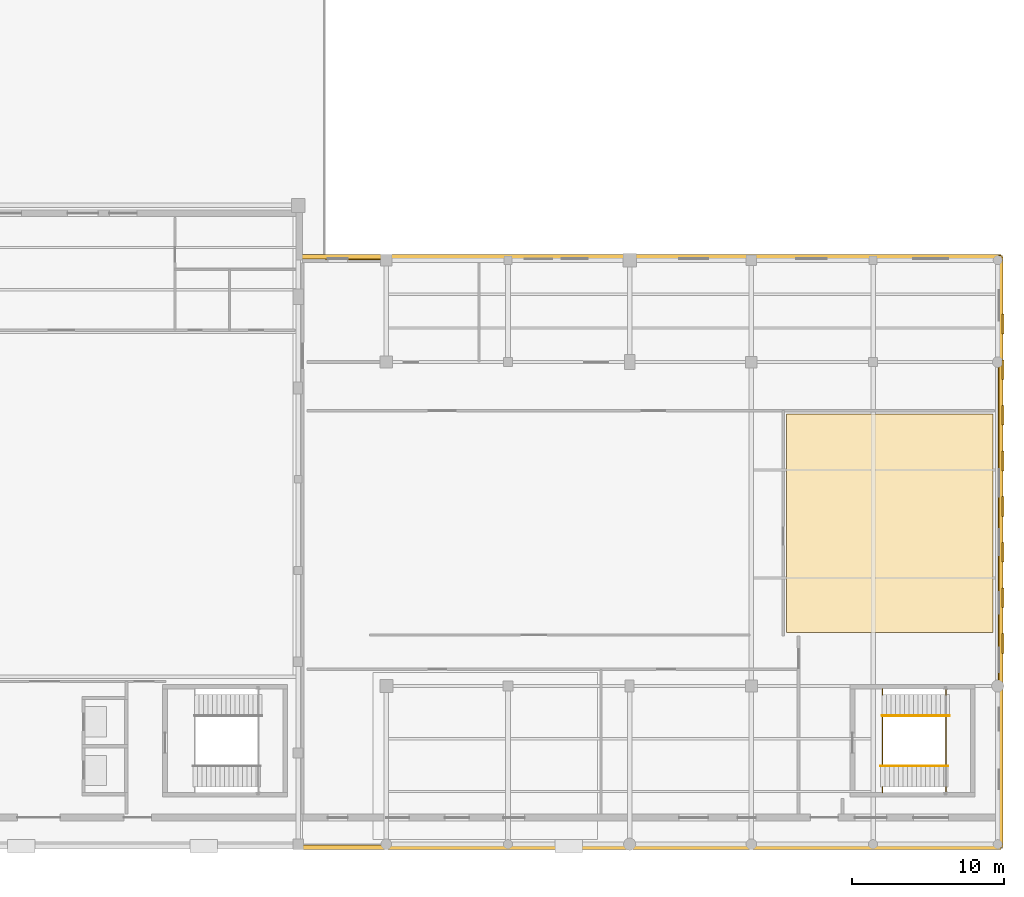
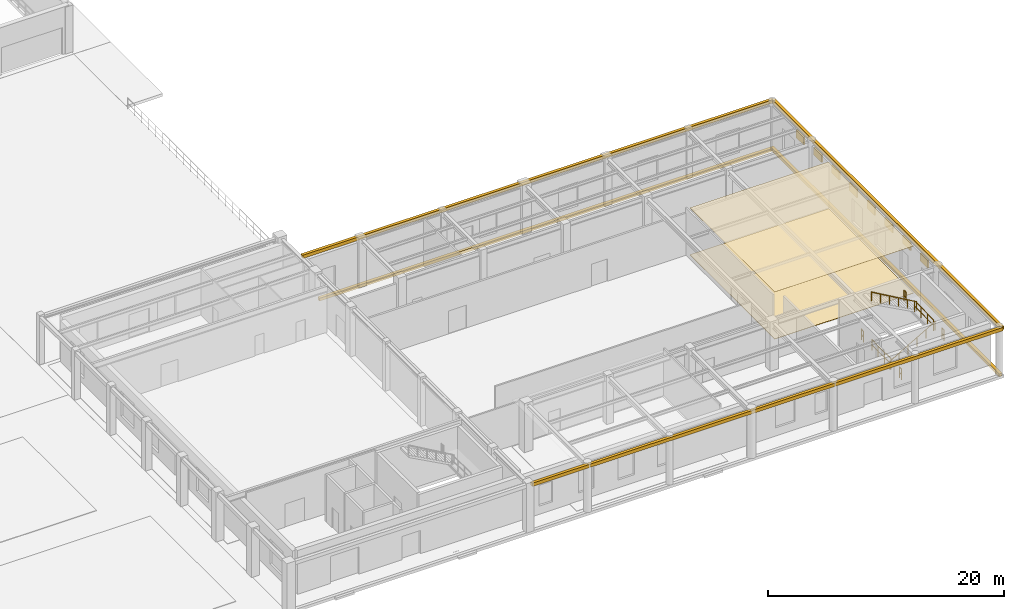
# One storey, part 67 of 68: 8 railings, 8 shading devices, 7 coverings.
"""IFC4 building model written with IfcOpenShell, lengths in metres."""

from ifc_helpers import new_model, si_unit, direction, frame, origin, origin_2d, place, context, subcontext, project, spatial, polyline, rectangle, circle, outline, extrude, material, layer, layer_set, type_object, element, save


model = new_model("IFC4")

# Units and contexts
model_context = context("Model", 3, precision=1e-05, world=origin(), true_north=direction((0.0, 1.0)))
body_context = subcontext(model_context, "Body", "Model", "MODEL_VIEW")
ifc_project = project(units=[si_unit("LENGTHUNIT", "METRE"), si_unit("AREAUNIT", "SQUARE_METRE"), si_unit("VOLUMEUNIT", "CUBIC_METRE"), si_unit("PLANEANGLEUNIT", "RADIAN"), si_unit("MASSUNIT", "GRAM", prefix="KILO"), si_unit("THERMODYNAMICTEMPERATUREUNIT", "KELVIN"), si_unit("POWERUNIT", "WATT")], contexts=[model_context])

# Site, building, storey
site_placement = place(None, origin())
site = spatial("IfcSite", under=ifc_project, at=site_placement, CompositionType="ELEMENT")
building_placement = place(site_placement, origin())
building = spatial("IfcBuilding", under=site, at=building_placement, Name="Solvatero Civic Police Headquarters", CompositionType="ELEMENT")
storey_placement = place(building_placement, origin())
storey = spatial("IfcBuildingStorey", under=building, at=storey_placement, Name="L00", CompositionType="ELEMENT", Elevation=0.0)

# Coverings
ifc_material_1 = material(Name="Mineral-Fibre Acoustic Tile", Category="gypsum")
ifc_layer_1 = layer(ifc_material_1, 0.02490234375)
ifc_layer_set_1 = layer_set([ifc_layer_1], Name="Mineral-Fibre Acoustic Tile")
covering_type_1 = type_object("IfcCoveringType", Name="COV-CEIL-AC", PredefinedType="CEILING", material=ifc_layer_set_1)
covering_1_placement = place(storey_placement, frame((0.0, 0.0, 4.85498046875)))
element("IfcCovering", 1, at=covering_1_placement, inside=storey, type_object=covering_type_1, Name="Acoustic Ceiling Tactical Mat and Training Equipment Store", PredefinedType="CEILING", context=body_context, shape_type="SweptSolid", body=[
    extrude(outline(polyline([(154.320068359375, 18.719970703125), (154.320068359375, 33.080078125), (167.8798828125, 33.080078125), (167.8798828125, 18.719970703125), (154.320068359375, 18.719970703125)])), origin(), (0.0, 0.0, 1.0), 0.02490234375),
])
ifc_material_2 = material(Name="Venetian Terrazzo Stone", Category="masonry")
ifc_layer_2 = layer(ifc_material_2, 0.034912109375)
ifc_layer_set_2 = layer_set([ifc_layer_2], Name="Venetian Terrazzo Stone")
covering_type_2 = type_object("IfcCoveringType", Name="COV-FLR-TER", PredefinedType="FLOORING", material=ifc_layer_set_2)
covering_2_placement = place(storey_placement, origin())
element("IfcCovering", 2, at=covering_2_placement, inside=storey, type_object=covering_type_2, Name="Flooring Tactical Mat and Training Equipment Store", PredefinedType="FLOORING", context=body_context, shape_type="SweptSolid", body=[
    extrude(outline(polyline([(154.320068359375, 18.719970703125), (154.320068359375, 33.080078125), (167.8798828125, 33.080078125), (167.8798828125, 18.719970703125), (154.320068359375, 18.719970703125)])), origin(), (0.0, 0.0, 1.0), 0.034912109375),
])
ifc_material_3 = material(Name="Anodized Bronze Aluminium", Category="aluminium")
ifc_layer_3 = layer(ifc_material_3, 0.0400390625)
ifc_layer_set_3 = layer_set([ifc_layer_3], Name="Anodized Bronze Aluminium")
covering_type_3 = type_object("IfcCoveringType", Name="COV-RF-ZINC", PredefinedType="ROOFING", material=ifc_layer_set_3)
covering_3_placement = place(storey_placement, frame((0.0, 0.0, -0.300048828125)))
element("IfcCovering", 3, at=covering_3_placement, inside=storey, type_object=covering_type_3, Name="L00 Perimeter Bronze Plinth Skirt PLINTH-E", PredefinedType="CLADDING", context=body_context, shape_type="SweptSolid", body=[
    extrude(outline(polyline([(168.199951171875, 4.800048828125), (168.5, 4.800048828125), (168.5, 43.5), (168.199951171875, 43.5), (168.199951171875, 4.800048828125)])), origin(), (0.0, 0.0, 1.0), 0.300048828125),
])
covering_4_placement = place(storey_placement, frame((0.0, 0.0, -0.300048828125)))
element("IfcCovering", 4, at=covering_4_placement, inside=storey, type_object=covering_type_3, Name="L00 Perimeter Bronze Plinth Skirt PLINTH-NE", PredefinedType="CLADDING", context=body_context, shape_type="SweptSolid", body=[
    extrude(outline(polyline([(124.0, 43.199951171875), (168.199951171875, 43.199951171875), (168.199951171875, 43.5), (124.0, 43.5), (124.0, 43.199951171875)])), origin(), (0.0, 0.0, 1.0), 0.300048828125),
])
ifc_material_4 = material(Name="Cream Limestone Ashlar", Category="masonry")
ifc_layer_4 = layer(ifc_material_4, 0.10009765625)
ifc_layer_set_4 = layer_set([ifc_layer_4], Name="Cream Limestone Ashlar")
covering_type_4 = type_object("IfcCoveringType", Name="COV-TRIM-STONE", PredefinedType="CLADDING", material=ifc_layer_set_4)
covering_5_placement = place(storey_placement, frame((145.39990234375, 4.60009765625, 4.60986328125), z_axis=(0.0, 0.0, 1.0), x_axis=(1.0, 0.0, 0.0)))
element("IfcCovering", 5, at=covering_5_placement, inside=storey, type_object=covering_type_4, Name="Classical Limestone Trim TRIM-V3-L00-S", PredefinedType="CLADDING", context=body_context, shape_type="SweptSolid", body=[
    extrude(rectangle(XDim=46.0, YDim=0.280029296875, at=origin_2d()), origin(), (0.0, 0.0, 1.0), 0.340087890625),
])
covering_6_placement = place(storey_placement, frame((168.419921875, 24.0, 4.60986328125), z_axis=(0.0, 0.0, 1.0), x_axis=(1.0, 0.0, 0.0)))
element("IfcCovering", 6, at=covering_6_placement, inside=storey, type_object=covering_type_4, Name="Classical Limestone Trim TRIM-V3-L00-E", PredefinedType="CLADDING", context=body_context, shape_type="SweptSolid", body=[
    extrude(rectangle(XDim=0.280029296875, YDim=38.800048828125, at=origin_2d()), origin(), (0.0, 0.0, 1.0), 0.340087890625),
])
covering_7_placement = place(storey_placement, frame((145.39990234375, 43.419921875, 4.60986328125), z_axis=(0.0, 0.0, 1.0), x_axis=(1.0, 0.0, 0.0)))
element("IfcCovering", 7, at=covering_7_placement, inside=storey, type_object=covering_type_4, Name="Classical Limestone Trim TRIM-V3-L00-N", PredefinedType="CLADDING", context=body_context, shape_type="SweptSolid", body=[
    extrude(rectangle(XDim=46.0, YDim=0.280029296875, at=origin_2d()), origin(), (0.0, 0.0, 1.0), 0.340087890625),
])

# Railings
ifc_material_5 = material(Name="Painted Galvanized Steel", Category="steel")
railing_type_1 = type_object("IfcRailingType", Name="RL-GRD-110", PredefinedType="GUARDRAIL", material=ifc_material_5)
railing_1_placement = place(storey_placement, frame((160.6298828125, 9.97998046875, 0.0)))
element("IfcRailing", 8, at=railing_1_placement, inside=storey, type_object=railing_type_1, Name="ST-C6 L00 Floor Well Guardrail", PredefinedType="GUARDRAIL", context=body_context, shape_type="SweptSolid", body=[
    extrude(circle(Radius=0.02392578125, at=origin_2d()), frame((0.0, 0.0, 1.09619140625), z_axis=(0.0, 1.0, 0.0), x_axis=(-1.0, 0.0, 0.0)), (0.0, 0.0, 1.0), 3.239990234375),
    extrude(circle(Radius=0.02392578125, at=origin_2d()), frame((0.0, 0.0, 0.5361328125), z_axis=(0.0, 1.0, 0.0), x_axis=(-1.0, 0.0, 0.0)), (0.0, 0.0, 1.0), 3.239990234375),
    extrude(circle(Radius=0.02099609375, at=origin_2d()), origin(), (0.0, 0.0, 1.0), 1.072021484375),
    extrude(circle(Radius=0.02099609375, at=origin_2d()), frame((0.0, 1.080078125, 0.0)), (0.0, 0.0, 1.0), 1.072021484375),
    extrude(circle(Radius=0.02099609375, at=origin_2d()), frame((0.0, 2.159912109375, 0.0)), (0.0, 0.0, 1.0), 1.072021484375),
    extrude(circle(Radius=0.02099609375, at=origin_2d()), frame((0.0, 3.239990234375, 0.0)), (0.0, 0.0, 1.0), 1.072021484375),
])
for number, where, name in (
    (9, (160.6298828125, 8.2099609375, 0.0), "ST-C6 L00 Floor Well South Slot Guardrail"),
    (10, (160.6298828125, 14.6298828125, 0.0), "ST-C6 L00 Floor Well North Slot Guardrail"),
):
    element("IfcRailing", number, at=place(storey_placement, frame(where)), inside=storey, type_object=railing_type_1, Name=name, PredefinedType="GUARDRAIL", context=body_context, shape_type="SweptSolid", body=[
        extrude(circle(Radius=0.02392578125, at=origin_2d()), frame((0.0, 0.0, 1.09619140625), z_axis=(0.0, 1.0, 0.0), x_axis=(-1.0, 0.0, 0.0)), (0.0, 0.0, 1.0), 0.360107421875),
        extrude(circle(Radius=0.02392578125, at=origin_2d()), frame((0.0, 0.0, 0.5361328125), z_axis=(0.0, 1.0, 0.0), x_axis=(-1.0, 0.0, 0.0)), (0.0, 0.0, 1.0), 0.360107421875),
        extrude(circle(Radius=0.02099609375, at=origin_2d()), origin(), (0.0, 0.0, 1.0), 1.072021484375),
        extrude(circle(Radius=0.02099609375, at=origin_2d()), frame((0.0, 0.360107421875, 0.0)), (0.0, 0.0, 1.0), 1.072021484375),
    ])
railing_2_placement = place(storey_placement, frame((164.794921875, 9.97998046875, 2.550048828125)))
element("IfcRailing", 11, at=railing_2_placement, inside=storey, type_object=railing_type_1, Name="ST-C6 L00 Half-Landing Well Guardrail", PredefinedType="GUARDRAIL", context=body_context, shape_type="SweptSolid", body=[
    extrude(circle(Radius=0.02392578125, at=origin_2d()), frame((0.0, 0.0, 1.09619140625), z_axis=(0.0, 1.0, 0.0), x_axis=(-1.0, 0.0, 0.0)), (0.0, 0.0, 1.0), 3.239990234375),
    extrude(circle(Radius=0.02392578125, at=origin_2d()), frame((0.0, 0.0, 0.5361328125), z_axis=(0.0, 1.0, 0.0), x_axis=(-1.0, 0.0, 0.0)), (0.0, 0.0, 1.0), 3.239990234375),
    extrude(circle(Radius=0.02099609375, at=origin_2d()), origin(), (0.0, 0.0, 1.0), 1.072021484375),
    extrude(circle(Radius=0.02099609375, at=origin_2d()), frame((0.0, 1.080078125, 0.0)), (0.0, 0.0, 1.0), 1.072021484375),
    extrude(circle(Radius=0.02099609375, at=origin_2d()), frame((0.0, 2.159912109375, 0.0)), (0.0, 0.0, 1.0), 1.072021484375),
    extrude(circle(Radius=0.02099609375, at=origin_2d()), frame((0.0, 3.239990234375, 0.0)), (0.0, 0.0, 1.0), 1.072021484375),
])
for number, where, name in (
    (12, (164.794921875, 8.2099609375, 2.550048828125), "ST-C6 L00 Half-Landing South Slot Guardrail"),
    (13, (164.794921875, 14.6298828125, 2.550048828125), "ST-C6 L00 Half-Landing North Slot Guardrail"),
):
    element("IfcRailing", number, at=place(storey_placement, frame(where)), inside=storey, type_object=railing_type_1, Name=name, PredefinedType="GUARDRAIL", context=body_context, shape_type="SweptSolid", body=[
        extrude(circle(Radius=0.02392578125, at=origin_2d()), frame((0.0, 0.0, 1.09619140625), z_axis=(0.0, 1.0, 0.0), x_axis=(-1.0, 0.0, 0.0)), (0.0, 0.0, 1.0), 0.360107421875),
        extrude(circle(Radius=0.02392578125, at=origin_2d()), frame((0.0, 0.0, 0.5361328125), z_axis=(0.0, 1.0, 0.0), x_axis=(-1.0, 0.0, 0.0)), (0.0, 0.0, 1.0), 0.360107421875),
        extrude(circle(Radius=0.02099609375, at=origin_2d()), origin(), (0.0, 0.0, 1.0), 1.072021484375),
        extrude(circle(Radius=0.02099609375, at=origin_2d()), frame((0.0, 0.360107421875, 0.0)), (0.0, 0.0, 1.0), 1.072021484375),
    ])
ifc_material_6 = material(Name="Brushed Stainless Steel", Category="steel")
railing_type_2 = type_object("IfcRailingType", Name="RL-HND-092", PredefinedType="HANDRAIL", material=ifc_material_6)
railing_3_placement = place(storey_placement, frame((160.5, 9.949951171875, 0.0)))
element("IfcRailing", 14, at=railing_3_placement, inside=storey, type_object=railing_type_2, Name="ST-C6 L00 Flight 1 Handrail", PredefinedType="HANDRAIL", context=body_context, shape_type="SweptSolid", body=[
    extrude(circle(Radius=0.02392578125, at=origin_2d()), frame((0.0, 0.0, 0.89599609375), z_axis=(0.866428212428, 0.0, 0.499301665038), x_axis=(0.0, 1.0, 0.0)), (0.0, 0.0, 1.0), 5.107177734375),
    extrude(circle(Radius=0.02099609375, at=origin_2d()), origin(), (0.0, 0.0, 1.0), 0.871826171875),
    extrude(circle(Radius=0.02099609375, at=origin_2d()), frame((0.885009765625, 0.0, 0.510009765625)), (0.0, 0.0, 1.0), 0.871826171875),
    extrude(circle(Radius=0.02099609375, at=origin_2d()), frame((1.77001953125, 0.0, 1.02001953125)), (0.0, 0.0, 1.0), 0.871826171875),
    extrude(circle(Radius=0.02099609375, at=origin_2d()), frame((2.655029296875, 0.0, 1.530029296875)), (0.0, 0.0, 1.0), 0.871826171875),
    extrude(circle(Radius=0.02099609375, at=origin_2d()), frame((3.5400390625, 0.0, 2.0400390625)), (0.0, 0.0, 1.0), 0.871826171875),
    extrude(circle(Radius=0.02099609375, at=origin_2d()), frame((4.425048828125, 0.0, 2.550048828125)), (0.0, 0.0, 1.0), 0.871826171875),
])
railing_4_placement = place(storey_placement, frame((165.02490234375, 13.25, 2.550048828125)))
element("IfcRailing", 15, at=railing_4_placement, inside=storey, type_object=railing_type_2, Name="ST-C6 L00 Flight 2 Handrail", PredefinedType="HANDRAIL", context=body_context, shape_type="SweptSolid", body=[
    extrude(circle(Radius=0.02392578125, at=origin_2d()), frame((0.0, 0.0, 0.89599609375), z_axis=(-0.866416294312, 0.0, 0.499322345735), x_axis=(0.0, -1.0, 0.0)), (0.0, 0.0, 1.0), 5.10693359375),
    extrude(circle(Radius=0.02099609375, at=origin_2d()), origin(), (0.0, 0.0, 1.0), 0.871826171875),
    extrude(circle(Radius=0.02099609375, at=origin_2d()), frame((-0.885009765625, 0.0, 0.510009765625)), (0.0, 0.0, 1.0), 0.871826171875),
    extrude(circle(Radius=0.02099609375, at=origin_2d()), frame((-1.77001953125, 0.0, 1.02001953125)), (0.0, 0.0, 1.0), 0.871826171875),
    extrude(circle(Radius=0.02099609375, at=origin_2d()), frame((-2.65478515625, 0.0, 1.530029296875)), (0.0, 0.0, 1.0), 0.871826171875),
    extrude(circle(Radius=0.02099609375, at=origin_2d()), frame((-3.539794921875, 0.0, 2.0400390625)), (0.0, 0.0, 1.0), 0.871826171875),
    extrude(circle(Radius=0.02099609375, at=origin_2d()), frame((-4.4248046875, 0.0, 2.550048828125)), (0.0, 0.0, 1.0), 0.871826171875),
])

# Shading devices
ifc_layer_5 = layer(ifc_material_3, 0.1201171875)
ifc_layer_set_5 = layer_set([ifc_layer_5], Name="Anodized Bronze Aluminium")
shading_device_type = type_object("IfcShadingDeviceType", Name="SHD-LVR-120", PredefinedType="JALOUSIE", material=ifc_layer_set_5)
for number, where, z_axis, x_axis, name in (
    (16, (168.5400390625, 18.0, 3.2001953125), (0.0, 0.0, 1.0), (1.0, 0.0, 0.0), "Acoustic Plant Louvre E-01"),
    (17, (168.5400390625, 21.0, 3.2001953125), (0.0, 0.0, 1.0), (1.0, 0.0, 0.0), "Acoustic Plant Louvre E-02"),
    (18, (168.5400390625, 24.0, 3.2001953125), (0.0, 0.0, 1.0), (1.0, 0.0, 0.0), "Acoustic Plant Louvre E-03"),
    (19, (168.5400390625, 27.0, 3.2001953125), (0.0, 0.0, 1.0), (1.0, 0.0, 0.0), "Acoustic Plant Louvre E-04"),
    (20, (168.5400390625, 30.0, 3.2001953125), (0.0, 0.0, 1.0), (1.0, 0.0, 0.0), "Acoustic Plant Louvre E-05"),
    (21, (168.5400390625, 33.0, 3.2001953125), (0.0, 0.0, 1.0), (1.0, 0.0, 0.0), "Acoustic Plant Louvre E-06"),
    (22, (168.5400390625, 36.0, 3.2001953125), (0.0, 0.0, 1.0), (1.0, 0.0, 0.0), "Acoustic Plant Louvre E-07"),
    (23, (168.5400390625, 39.0, 3.2001953125), (0.0, 0.0, 1.0), (1.0, 0.0, 0.0), "Acoustic Plant Louvre E-08"),
):
    element("IfcShadingDevice", number, at=place(storey_placement, frame(where, z_axis=z_axis, x_axis=x_axis)), inside=storey, type_object=shading_device_type, Name=name, PredefinedType="JALOUSIE", context=body_context, shape_type="SweptSolid", body=[
        extrude(rectangle(XDim=0.139892578125, YDim=1.300048828125, at=origin_2d()), origin(), (0.0, 0.0, 1.0), 0.800048828125),
    ])

save(model, "model.ifc")
